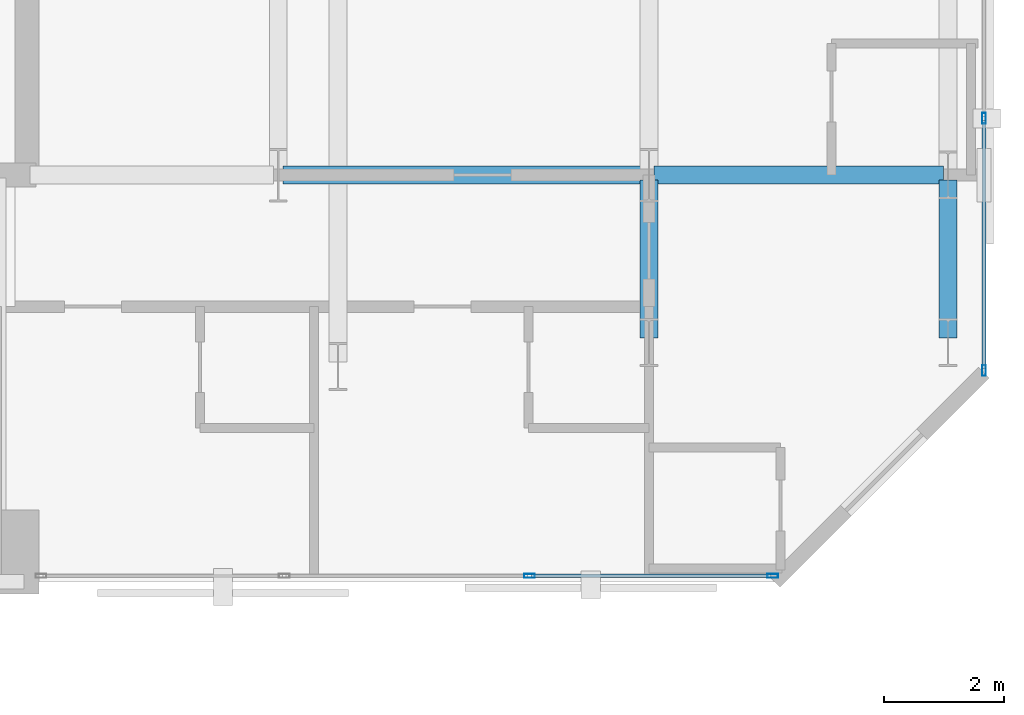
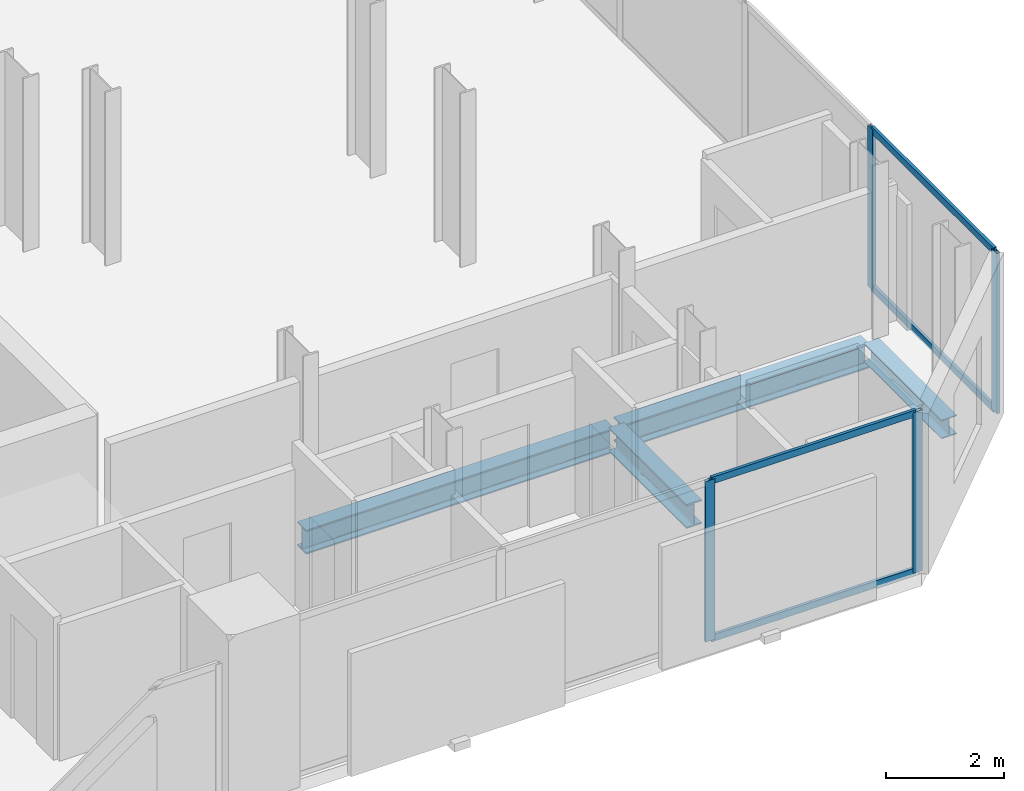
# One storey, part 16 of 32: 8 members, 4 beams, 2 elements without a shape of their own.
"""IFC4 building model written with IfcOpenShell, lengths in metres."""

from ifc_helpers import new_model, si_unit, direction, frame, origin, origin_2d, place, context, subcontext, project, spatial, hollow_rectangle, i_section, extrude, material, layer, layer_set, material_profile, profile_set, type_object, element, aggregate, save


model = new_model("IFC4")

# Units and contexts
model_context = context("Model", 3, precision=1e-05, world=origin(), true_north=direction((0.0, 1.0)))
body_context = subcontext(model_context, "Body", "Model", "MODEL_VIEW")
ifc_project = project(units=[si_unit("LENGTHUNIT", "METRE"), si_unit("AREAUNIT", "SQUARE_METRE"), si_unit("VOLUMEUNIT", "CUBIC_METRE"), si_unit("PLANEANGLEUNIT", "RADIAN"), si_unit("MASSUNIT", "GRAM", prefix="KILO")], contexts=[model_context])

# Site, building, storey
site_placement = place(None, origin())
site = spatial("IfcSite", under=ifc_project, at=site_placement, CompositionType="ELEMENT")
building_placement = place(site_placement, origin())
building = spatial("IfcBuilding", under=site, at=building_placement, Name="Catumbela Crestline Tower", CompositionType="ELEMENT")
storey_placement = place(building_placement, frame((0.0, 0.0, 61.8)))
storey = spatial("IfcBuildingStorey", under=building, at=storey_placement, Name="L15", CompositionType="ELEMENT", Elevation=61.8)

# Beams
ifc_material_1 = material(Name="Structural steel S355J2", Category="steel")
ifc_material_profile_1 = material_profile(ifc_material_1, i_section(OverallWidth=0.3, OverallDepth=0.5, WebThickness=0.0145, FlangeThickness=0.028, FilletRadius=0.027, at=origin_2d()), Name="HEB 500")
ifc_profile_set_1 = profile_set([ifc_material_profile_1], Name="Structural steel S355J2")
beam_type_1 = type_object("IfcBeamType", Name="BG-HEB500", PredefinedType="BEAM", material=ifc_profile_set_1)
beam_1_placement = place(storey_placement, frame((44.28, 30.8, -0.51), z_axis=(1.0, 0.0, 0.0), x_axis=(0.0, 1.0, 0.0)))
element("IfcBeam", 1, at=beam_1_placement, inside=storey, type_object=beam_type_1, Name="L15 Beam BM-L15-M11", PredefinedType="BEAM", context=body_context, shape_type="SweptSolid", body=[
    extrude(i_section(OverallWidth=0.3, OverallDepth=0.5, WebThickness=0.0145, FlangeThickness=0.028, FilletRadius=0.027, at=origin_2d()), origin(), (0.0, 0.0, 1.0), 6.04),
])
beam_2_placement = place(storey_placement, frame((50.48, 30.8, -0.51), z_axis=(1.0, 0.0, 0.0), x_axis=(0.0, 1.0, 0.0)))
element("IfcBeam", 2, at=beam_2_placement, inside=storey, type_object=beam_type_1, Name="L15 Beam BM-L15-M12", PredefinedType="BEAM", context=body_context, shape_type="SweptSolid", body=[
    extrude(i_section(OverallWidth=0.3, OverallDepth=0.5, WebThickness=0.0145, FlangeThickness=0.028, FilletRadius=0.027, at=origin_2d()), origin(), (0.0, 0.0, 1.0), 4.84),
])
beam_3_placement = place(storey_placement, frame((50.4, 28.08, -0.51), z_axis=(0.0, 1.0, 0.0), x_axis=(-1.0, 0.0, 0.0)))
element("IfcBeam", 3, at=beam_3_placement, inside=storey, type_object=beam_type_1, Name="L15 Beam BM-L15-SN37", PredefinedType="BEAM", context=body_context, shape_type="SweptSolid", body=[
    extrude(i_section(OverallWidth=0.3, OverallDepth=0.5, WebThickness=0.0145, FlangeThickness=0.028, FilletRadius=0.027, at=origin_2d()), origin(), (0.0, 0.0, 1.0), 2.64),
])

# Curtain wall, members
ifc_material_2 = material(Name="Aluminium alloy AW-6060-T66", Category="aluminium")
ifc_layer = layer(ifc_material_2, 0.18, Name="Aluminium alloy AW-6060-T66")
ifc_layer_set = layer_set([ifc_layer], Name="Aluminium alloy AW-6060-T66")
curtain_wall_type = type_object("IfcCurtainWallType", Name="CWU-Z1", PredefinedType="USERDEFINED", material=ifc_layer_set)
curtain_wall_1_placement = place(storey_placement, origin())
curtain_wall_1 = element("IfcCurtainWall", 4, at=curtain_wall_1_placement, inside=storey, type_object=curtain_wall_type, Name="L15 Unitised Curtain Wall CW-L15-E3S2", ObjectType="UNITISED", PredefinedType="USERDEFINED")
ifc_material_profile_2 = material_profile(ifc_material_2, hollow_rectangle(XDim=0.065, YDim=0.18, WallThickness=0.004, at=origin_2d()), Name="ALU 180x65x4")
ifc_profile_set_2 = profile_set([ifc_material_profile_2], Name="Aluminium alloy AW-6060-T66")
member_type_1 = type_object("IfcMemberType", Name="MUL-180X65", PredefinedType="MULLION", material=ifc_profile_set_2)
member_1_placement = place(storey_placement, frame((48.4, 24.1, 0.0), z_axis=(0.0, 0.0, 1.0), x_axis=(0.0, 1.0, 0.0)))
member_1 = element("IfcMember", 5, at=member_1_placement, type_object=member_type_1, Name="CWU-Z1 mullion 3", PredefinedType="MULLION", context=body_context, shape_type="SweptSolid", body=[
    extrude(hollow_rectangle(XDim=0.065, YDim=0.18, WallThickness=0.004, at=origin_2d()), origin(), (0.0, 0.0, 1.0), 3.33),
])
member_2_placement = place(storey_placement, frame((52.4675, 24.1, 0.0), z_axis=(0.0, 0.0, 1.0), x_axis=(0.0, 1.0, 0.0)))
member_2 = element("IfcMember", 6, at=member_2_placement, type_object=member_type_1, Name="CWU-Z1 mullion 4", PredefinedType="MULLION", context=body_context, shape_type="SweptSolid", body=[
    extrude(hollow_rectangle(XDim=0.065, YDim=0.18, WallThickness=0.004, at=origin_2d()), origin(), (0.0, 0.0, 1.0), 3.33),
])

curtain_wall_2_placement = place(storey_placement, origin())
curtain_wall_2 = element("IfcCurtainWall", 7, at=curtain_wall_2_placement, inside=storey, type_object=curtain_wall_type, Name="L15 Unitised Curtain Wall CW-L15-E5S1", ObjectType="UNITISED", PredefinedType="USERDEFINED")
member_3_placement = place(storey_placement, frame((56.0, 27.5325, 0.0), z_axis=(0.0, 0.0, 1.0), x_axis=(-1.0, 0.0, 0.0)))
member_3 = element("IfcMember", 8, at=member_3_placement, type_object=member_type_1, Name="CWU-Z1 mullion 1", PredefinedType="MULLION", context=body_context, shape_type="SweptSolid", body=[
    extrude(hollow_rectangle(XDim=0.065, YDim=0.18, WallThickness=0.004, at=origin_2d()), origin(), (0.0, 0.0, 1.0), 3.33),
])
member_4_placement = place(storey_placement, frame((56.0, 31.75, 0.0), z_axis=(0.0, 0.0, 1.0), x_axis=(-1.0, 0.0, 0.0)))
member_4 = element("IfcMember", 9, at=member_4_placement, type_object=member_type_1, Name="CWU-Z1 mullion 2", PredefinedType="MULLION", context=body_context, shape_type="SweptSolid", body=[
    extrude(hollow_rectangle(XDim=0.065, YDim=0.18, WallThickness=0.004, at=origin_2d()), origin(), (0.0, 0.0, 1.0), 3.33),
])

# Beam
ifc_material_profile_3 = material_profile(ifc_material_1, i_section(OverallWidth=0.3, OverallDepth=0.39, WebThickness=0.011, FlangeThickness=0.019, FilletRadius=0.027, at=origin_2d()), Name="HEA 400")
ifc_profile_set_3 = profile_set([ifc_material_profile_3], Name="Structural steel S355J2")
beam_type_2 = type_object("IfcBeamType", Name="BS-HEA400", PredefinedType="SPANDREL", material=ifc_profile_set_3)
beam_4_placement = place(storey_placement, frame((55.4, 28.08, -0.455), z_axis=(0.0, 1.0, 0.0), x_axis=(-1.0, 0.0, 0.0)))
element("IfcBeam", 10, at=beam_4_placement, inside=storey, type_object=beam_type_2, Name="L15 Spandrel SP-L15-SN40", PredefinedType="SPANDREL", context=body_context, shape_type="SweptSolid", body=[
    extrude(i_section(OverallWidth=0.3, OverallDepth=0.39, WebThickness=0.011, FlangeThickness=0.019, FilletRadius=0.027, at=origin_2d()), origin(), (0.0, 0.0, 1.0), 2.64),
])

# Member
ifc_material_profile_4 = material_profile(ifc_material_2, hollow_rectangle(XDim=0.06, YDim=0.14, WallThickness=0.004, at=origin_2d()), Name="ALU 140x60x4")
ifc_profile_set_4 = profile_set([ifc_material_profile_4], Name="Aluminium alloy AW-6060-T66")
member_type_2 = type_object("IfcMemberType", Name="TRN-140X60", PredefinedType="USERDEFINED", material=ifc_profile_set_4)
member_5_placement = place(storey_placement, frame((48.4325, 24.1, 0.03), z_axis=(1.0, 0.0, 0.0), x_axis=(0.0, 1.0, 0.0)))
member_5 = element("IfcMember", 11, at=member_5_placement, type_object=member_type_2, Name="CWU-Z1 transom 3.1", ObjectType="TRANSOM", PredefinedType="USERDEFINED", context=body_context, shape_type="SweptSolid", body=[
    extrude(hollow_rectangle(XDim=0.06, YDim=0.14, WallThickness=0.004, at=origin_2d()), origin(), (0.0, 0.0, 1.0), 4.0025),
])

member_6_placement = place(storey_placement, frame((48.4325, 24.1, 3.3), z_axis=(1.0, 0.0, 0.0), x_axis=(0.0, 1.0, 0.0)))
member_6 = element("IfcMember", 12, at=member_6_placement, type_object=member_type_2, Name="CWU-Z1 transom 3.2", ObjectType="TRANSOM", PredefinedType="USERDEFINED", context=body_context, shape_type="SweptSolid", body=[
    extrude(hollow_rectangle(XDim=0.06, YDim=0.14, WallThickness=0.004, at=origin_2d()), origin(), (0.0, 0.0, 1.0), 4.0025),
])

aggregate(curtain_wall_1, [member_1, member_2, member_5, member_6])

member_7_placement = place(storey_placement, frame((56.0, 27.565, 0.03), z_axis=(0.0, 1.0, 0.0), x_axis=(-1.0, 0.0, 0.0)))
member_7 = element("IfcMember", 13, at=member_7_placement, type_object=member_type_2, Name="CWU-Z1 transom 1.1", ObjectType="TRANSOM", PredefinedType="USERDEFINED", context=body_context, shape_type="SweptSolid", body=[
    extrude(hollow_rectangle(XDim=0.06, YDim=0.14, WallThickness=0.004, at=origin_2d()), origin(), (0.0, 0.0, 1.0), 4.1525),
])

member_8_placement = place(storey_placement, frame((56.0, 27.565, 3.3), z_axis=(0.0, 1.0, 0.0), x_axis=(-1.0, 0.0, 0.0)))
member_8 = element("IfcMember", 14, at=member_8_placement, type_object=member_type_2, Name="CWU-Z1 transom 1.2", ObjectType="TRANSOM", PredefinedType="USERDEFINED", context=body_context, shape_type="SweptSolid", body=[
    extrude(hollow_rectangle(XDim=0.06, YDim=0.14, WallThickness=0.004, at=origin_2d()), origin(), (0.0, 0.0, 1.0), 4.1525),
])

aggregate(curtain_wall_2, [member_3, member_4, member_7, member_8])

save(model, "model.ifc")
